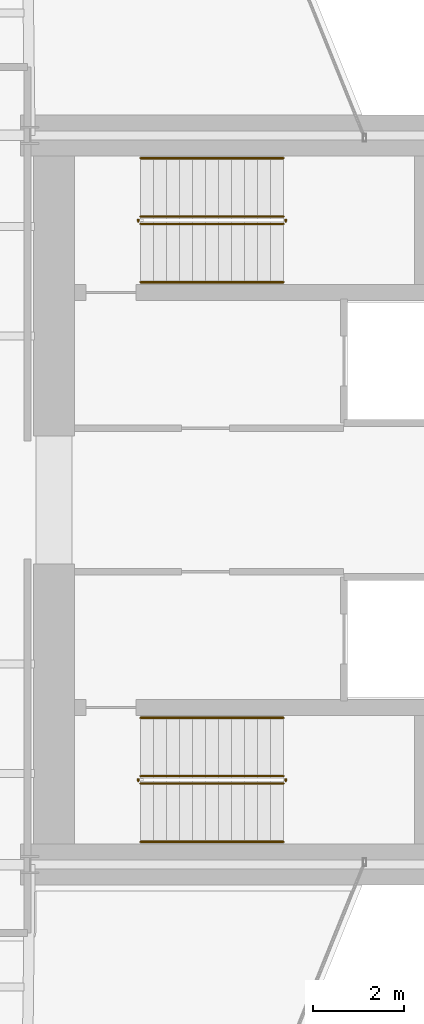
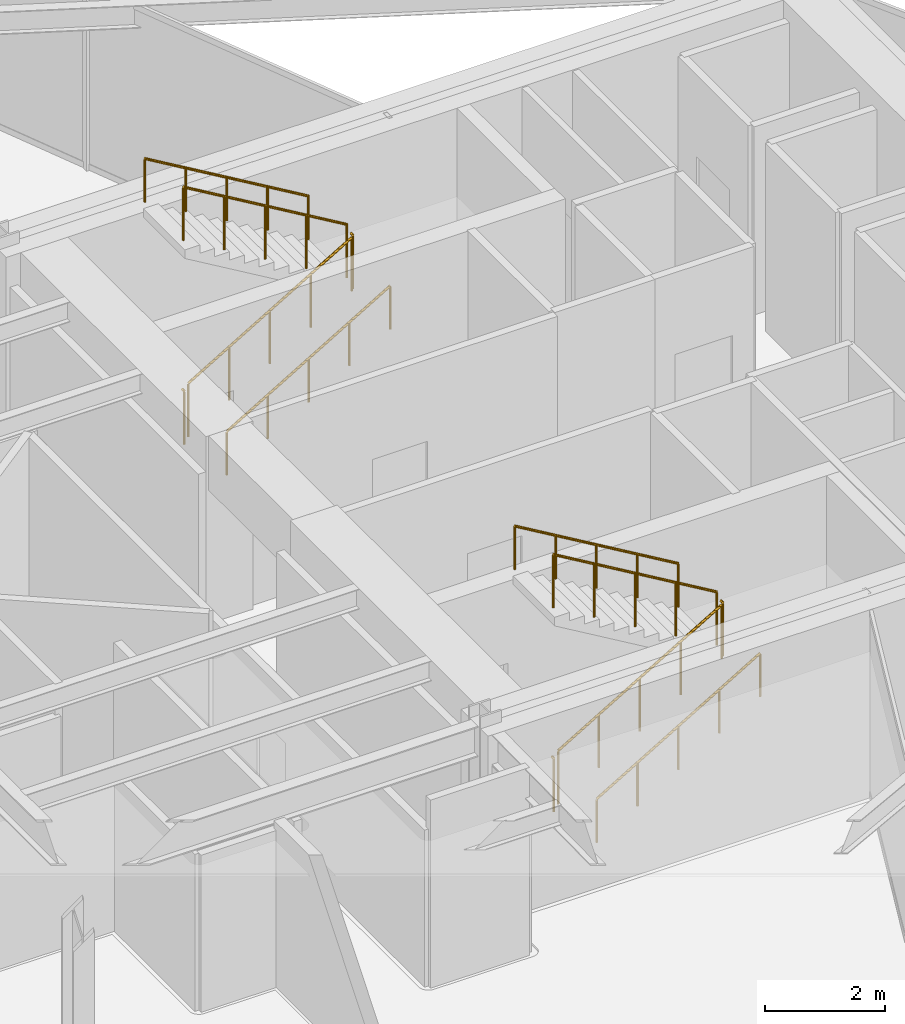
# One storey, part 31 of 31: 12 railings.
"""IFC4 building model written with IfcOpenShell, lengths in metres."""

from ifc_helpers import new_model, si_unit, direction, frame, origin, origin_2d, place, context, subcontext, project, spatial, circle, extrude, material, type_object, element, save


model = new_model("IFC4")

# Units and contexts
model_context = context("Model", 3, precision=1e-05, world=origin(), true_north=direction((0.0, 1.0)))
body_context = subcontext(model_context, "Body", "Model", "MODEL_VIEW")
ifc_project = project(units=[si_unit("LENGTHUNIT", "METRE"), si_unit("AREAUNIT", "SQUARE_METRE"), si_unit("VOLUMEUNIT", "CUBIC_METRE"), si_unit("PLANEANGLEUNIT", "RADIAN"), si_unit("MASSUNIT", "GRAM", prefix="KILO")], contexts=[model_context])

# Site, building, storey
site_placement = place(None, origin())
site = spatial("IfcSite", under=ifc_project, at=site_placement, CompositionType="ELEMENT")
building_placement = place(site_placement, origin())
building = spatial("IfcBuilding", under=site, at=building_placement, Name="Veymaron Broadcast Tower", CompositionType="ELEMENT")
storey_placement = place(building_placement, frame((0.0, 0.0, 70.199951171875)))
storey = spatial("IfcBuildingStorey", under=building, at=storey_placement, Name="L15", CompositionType="ELEMENT", Elevation=70.199951171875)

# Railings
ifc_material_1 = material(Name="Brushed stainless steel AISI 304", Category="steel")
railing_type_1 = type_object("IfcRailingType", Name="RAIL-STAIR-HR", PredefinedType="HANDRAIL", material=ifc_material_1)
railing_1_placement = place(storey_placement, frame((41.429931640625, 28.780029296875, 0.168701171875)))
element("IfcRailing", 1, at=railing_1_placement, inside=storey, type_object=railing_type_1, Name="L15 ST1 stair handrail 1", PredefinedType="HANDRAIL", context=body_context, shape_type="SweptSolid", body=[
    extrude(circle(Radius=0.02392578125, at=origin_2d()), frame((0.0, 0.0, 0.8759765625), z_axis=(0.860452582533, 0.0, 0.509530522356), x_axis=(0.0, 1.0, 0.0)), (0.0, 0.0, 1.0), 3.6435546875),
    extrude(circle(Radius=0.02099609375, at=origin_2d()), origin(), (0.0, 0.0, 1.0), 0.851806640625),
    extrude(circle(Radius=0.02099609375, at=origin_2d()), frame((0.78369140625, 0.0, 0.464111328125)), (0.0, 0.0, 1.0), 0.851806640625),
    extrude(circle(Radius=0.02099609375, at=origin_2d()), frame((1.5673828125, 0.0, 0.92822265625)), (0.0, 0.0, 1.0), 0.851806640625),
    extrude(circle(Radius=0.02099609375, at=origin_2d()), frame((2.351318359375, 0.0, 1.392333984375)), (0.0, 0.0, 1.0), 0.851806640625),
    extrude(circle(Radius=0.02099609375, at=origin_2d()), frame((3.135009765625, 0.0, 1.8564453125)), (0.0, 0.0, 1.0), 0.851806640625),
])
railing_2_placement = place(storey_placement, frame((44.56494140625, 31.5, 2.19384765625)))
element("IfcRailing", 2, at=railing_2_placement, inside=storey, type_object=railing_type_1, Name="L15 ST1 stair handrail 2", PredefinedType="HANDRAIL", context=body_context, shape_type="SweptSolid", body=[
    extrude(circle(Radius=0.02392578125, at=origin_2d()), frame((0.0, 0.0, 0.8759765625), z_axis=(-0.860481960309, 0.0, 0.509480908359), x_axis=(0.0, -1.0, 0.0)), (0.0, 0.0, 1.0), 3.643310546875),
    extrude(circle(Radius=0.02099609375, at=origin_2d()), origin(), (0.0, 0.0, 1.0), 0.851806640625),
    extrude(circle(Radius=0.02099609375, at=origin_2d()), frame((-0.78369140625, 0.0, 0.464111328125)), (0.0, 0.0, 1.0), 0.851806640625),
    extrude(circle(Radius=0.02099609375, at=origin_2d()), frame((-1.5673828125, 0.0, 0.92822265625)), (0.0, 0.0, 1.0), 0.851806640625),
    extrude(circle(Radius=0.02099609375, at=origin_2d()), frame((-2.351318359375, 0.0, 1.39208984375)), (0.0, 0.0, 1.0), 0.851806640625),
    extrude(circle(Radius=0.02099609375, at=origin_2d()), frame((-3.135009765625, 0.0, 1.856201171875)), (0.0, 0.0, 1.0), 0.851806640625),
])
railing_3_placement = place(storey_placement, frame((41.429931640625, 16.5, 0.168701171875)))
element("IfcRailing", 3, at=railing_3_placement, inside=storey, type_object=railing_type_1, Name="L15 ST2 stair handrail 1", PredefinedType="HANDRAIL", context=body_context, shape_type="SweptSolid", body=[
    extrude(circle(Radius=0.02392578125, at=origin_2d()), frame((0.0, 0.0, 0.8759765625), z_axis=(0.860452582533, 0.0, 0.509530522356), x_axis=(0.0, 1.0, 0.0)), (0.0, 0.0, 1.0), 3.6435546875),
    extrude(circle(Radius=0.02099609375, at=origin_2d()), origin(), (0.0, 0.0, 1.0), 0.851806640625),
    extrude(circle(Radius=0.02099609375, at=origin_2d()), frame((0.78369140625, 0.0, 0.464111328125)), (0.0, 0.0, 1.0), 0.851806640625),
    extrude(circle(Radius=0.02099609375, at=origin_2d()), frame((1.5673828125, 0.0, 0.92822265625)), (0.0, 0.0, 1.0), 0.851806640625),
    extrude(circle(Radius=0.02099609375, at=origin_2d()), frame((2.351318359375, 0.0, 1.392333984375)), (0.0, 0.0, 1.0), 0.851806640625),
    extrude(circle(Radius=0.02099609375, at=origin_2d()), frame((3.135009765625, 0.0, 1.8564453125)), (0.0, 0.0, 1.0), 0.851806640625),
])
railing_4_placement = place(storey_placement, frame((44.56494140625, 19.219970703125, 2.19384765625)))
element("IfcRailing", 4, at=railing_4_placement, inside=storey, type_object=railing_type_1, Name="L15 ST2 stair handrail 2", PredefinedType="HANDRAIL", context=body_context, shape_type="SweptSolid", body=[
    extrude(circle(Radius=0.02392578125, at=origin_2d()), frame((0.0, 0.0, 0.8759765625), z_axis=(-0.860481960309, 0.0, 0.509480908359), x_axis=(0.0, -1.0, 0.0)), (0.0, 0.0, 1.0), 3.643310546875),
    extrude(circle(Radius=0.02099609375, at=origin_2d()), origin(), (0.0, 0.0, 1.0), 0.851806640625),
    extrude(circle(Radius=0.02099609375, at=origin_2d()), frame((-0.78369140625, 0.0, 0.464111328125)), (0.0, 0.0, 1.0), 0.851806640625),
    extrude(circle(Radius=0.02099609375, at=origin_2d()), frame((-1.5673828125, 0.0, 0.92822265625)), (0.0, 0.0, 1.0), 0.851806640625),
    extrude(circle(Radius=0.02099609375, at=origin_2d()), frame((-2.351318359375, 0.0, 1.39208984375)), (0.0, 0.0, 1.0), 0.851806640625),
    extrude(circle(Radius=0.02099609375, at=origin_2d()), frame((-3.135009765625, 0.0, 1.856201171875)), (0.0, 0.0, 1.0), 0.851806640625),
])
ifc_material_2 = material(Name="Painted galvanized steel balustrade", Category="steel")
railing_type_2 = type_object("IfcRailingType", Name="RAIL-WELL-GRD", PredefinedType="GUARDRAIL", material=ifc_material_2)
railing_5_placement = place(storey_placement, frame((41.429931640625, 30.06005859375, 0.168701171875)))
element("IfcRailing", 5, at=railing_5_placement, inside=storey, type_object=railing_type_2, Name="L15 ST1 stair guard 1", PredefinedType="GUARDRAIL", context=body_context, shape_type="SweptSolid", body=[
    extrude(circle(Radius=0.02392578125, at=origin_2d()), frame((0.0, 0.0, 1.076171875), z_axis=(0.860452582533, 0.0, 0.509530522356), x_axis=(0.0, 1.0, 0.0)), (0.0, 0.0, 1.0), 3.6435546875),
    extrude(circle(Radius=0.02099609375, at=origin_2d()), origin(), (0.0, 0.0, 1.0), 1.052001953125),
    extrude(circle(Radius=0.02099609375, at=origin_2d()), frame((0.78369140625, 0.0, 0.464111328125)), (0.0, 0.0, 1.0), 1.052001953125),
    extrude(circle(Radius=0.02099609375, at=origin_2d()), frame((1.5673828125, 0.0, 0.92822265625)), (0.0, 0.0, 1.0), 1.052001953125),
    extrude(circle(Radius=0.02099609375, at=origin_2d()), frame((2.351318359375, 0.0, 1.392333984375)), (0.0, 0.0, 1.0), 1.052001953125),
    extrude(circle(Radius=0.02099609375, at=origin_2d()), frame((3.135009765625, 0.0, 1.8564453125)), (0.0, 0.0, 1.0), 1.052001953125),
])
railing_6_placement = place(storey_placement, frame((44.614990234375, 30.110107421875, 2.025146484375)))
element("IfcRailing", 6, at=railing_6_placement, inside=storey, type_object=railing_type_2, Name="L15 ST1 stair guard 2", PredefinedType="GUARDRAIL", context=body_context, shape_type="SweptSolid", body=[
    extrude(circle(Radius=0.02392578125, at=origin_2d()), frame((0.0, 0.0, 1.076171875), z_axis=(0.0, 1.0, 0.0), x_axis=(-1.0, 0.0, 0.0)), (0.0, 0.0, 1.0), 0.059814453125),
    extrude(circle(Radius=0.02099609375, at=origin_2d()), origin(), (0.0, 0.0, 1.0), 1.052001953125),
])
railing_7_placement = place(storey_placement, frame((44.56494140625, 30.219970703125, 2.19384765625)))
element("IfcRailing", 7, at=railing_7_placement, inside=storey, type_object=railing_type_2, Name="L15 ST1 stair guard 3", PredefinedType="GUARDRAIL", context=body_context, shape_type="SweptSolid", body=[
    extrude(circle(Radius=0.02392578125, at=origin_2d()), frame((0.0, 0.0, 1.076171875), z_axis=(-0.860481960309, 0.0, 0.509480908359), x_axis=(0.0, -1.0, 0.0)), (0.0, 0.0, 1.0), 3.643310546875),
    extrude(circle(Radius=0.02099609375, at=origin_2d()), origin(), (0.0, 0.0, 1.0), 1.052001953125),
    extrude(circle(Radius=0.02099609375, at=origin_2d()), frame((-0.78369140625, 0.0, 0.464111328125)), (0.0, 0.0, 1.0), 1.052001953125),
    extrude(circle(Radius=0.02099609375, at=origin_2d()), frame((-1.5673828125, 0.0, 0.92822265625)), (0.0, 0.0, 1.0), 1.052001953125),
    extrude(circle(Radius=0.02099609375, at=origin_2d()), frame((-2.351318359375, 0.0, 1.39208984375)), (0.0, 0.0, 1.0), 1.052001953125),
    extrude(circle(Radius=0.02099609375, at=origin_2d()), frame((-3.135009765625, 0.0, 1.856201171875)), (0.0, 0.0, 1.0), 1.052001953125),
])
railing_8_placement = place(storey_placement, frame((41.3798828125, 30.110107421875, 0.0)))
element("IfcRailing", 8, at=railing_8_placement, inside=storey, type_object=railing_type_2, Name="L15 ST1 stair guard 4", PredefinedType="GUARDRAIL", context=body_context, shape_type="SweptSolid", body=[
    extrude(circle(Radius=0.02392578125, at=origin_2d()), frame((0.0, 0.0, 1.076171875), z_axis=(0.0, 1.0, 0.0), x_axis=(-1.0, 0.0, 0.0)), (0.0, 0.0, 1.0), 0.059814453125),
    extrude(circle(Radius=0.02099609375, at=origin_2d()), origin(), (0.0, 0.0, 1.0), 1.052001953125),
])
railing_9_placement = place(storey_placement, frame((41.429931640625, 17.780029296875, 0.168701171875)))
element("IfcRailing", 9, at=railing_9_placement, inside=storey, type_object=railing_type_2, Name="L15 ST2 stair guard 1", PredefinedType="GUARDRAIL", context=body_context, shape_type="SweptSolid", body=[
    extrude(circle(Radius=0.02392578125, at=origin_2d()), frame((0.0, 0.0, 1.076171875), z_axis=(0.860452582533, 0.0, 0.509530522356), x_axis=(0.0, 1.0, 0.0)), (0.0, 0.0, 1.0), 3.6435546875),
    extrude(circle(Radius=0.02099609375, at=origin_2d()), origin(), (0.0, 0.0, 1.0), 1.052001953125),
    extrude(circle(Radius=0.02099609375, at=origin_2d()), frame((0.78369140625, 0.0, 0.464111328125)), (0.0, 0.0, 1.0), 1.052001953125),
    extrude(circle(Radius=0.02099609375, at=origin_2d()), frame((1.5673828125, 0.0, 0.92822265625)), (0.0, 0.0, 1.0), 1.052001953125),
    extrude(circle(Radius=0.02099609375, at=origin_2d()), frame((2.351318359375, 0.0, 1.392333984375)), (0.0, 0.0, 1.0), 1.052001953125),
    extrude(circle(Radius=0.02099609375, at=origin_2d()), frame((3.135009765625, 0.0, 1.8564453125)), (0.0, 0.0, 1.0), 1.052001953125),
])
railing_10_placement = place(storey_placement, frame((44.614990234375, 17.830078125, 2.025146484375)))
element("IfcRailing", 10, at=railing_10_placement, inside=storey, type_object=railing_type_2, Name="L15 ST2 stair guard 2", PredefinedType="GUARDRAIL", context=body_context, shape_type="SweptSolid", body=[
    extrude(circle(Radius=0.02392578125, at=origin_2d()), frame((0.0, 0.0, 1.076171875), z_axis=(0.0, 1.0, 0.0), x_axis=(-1.0, 0.0, 0.0)), (0.0, 0.0, 1.0), 0.059814453125),
    extrude(circle(Radius=0.02099609375, at=origin_2d()), origin(), (0.0, 0.0, 1.0), 1.052001953125),
])
railing_11_placement = place(storey_placement, frame((44.56494140625, 17.93994140625, 2.19384765625)))
element("IfcRailing", 11, at=railing_11_placement, inside=storey, type_object=railing_type_2, Name="L15 ST2 stair guard 3", PredefinedType="GUARDRAIL", context=body_context, shape_type="SweptSolid", body=[
    extrude(circle(Radius=0.02392578125, at=origin_2d()), frame((0.0, 0.0, 1.076171875), z_axis=(-0.860481960309, 0.0, 0.509480908359), x_axis=(0.0, -1.0, 0.0)), (0.0, 0.0, 1.0), 3.643310546875),
    extrude(circle(Radius=0.02099609375, at=origin_2d()), origin(), (0.0, 0.0, 1.0), 1.052001953125),
    extrude(circle(Radius=0.02099609375, at=origin_2d()), frame((-0.78369140625, 0.0, 0.464111328125)), (0.0, 0.0, 1.0), 1.052001953125),
    extrude(circle(Radius=0.02099609375, at=origin_2d()), frame((-1.5673828125, 0.0, 0.92822265625)), (0.0, 0.0, 1.0), 1.052001953125),
    extrude(circle(Radius=0.02099609375, at=origin_2d()), frame((-2.351318359375, 0.0, 1.39208984375)), (0.0, 0.0, 1.0), 1.052001953125),
    extrude(circle(Radius=0.02099609375, at=origin_2d()), frame((-3.135009765625, 0.0, 1.856201171875)), (0.0, 0.0, 1.0), 1.052001953125),
])
railing_12_placement = place(storey_placement, frame((41.3798828125, 17.830078125, 0.0)))
element("IfcRailing", 12, at=railing_12_placement, inside=storey, type_object=railing_type_2, Name="L15 ST2 stair guard 4", PredefinedType="GUARDRAIL", context=body_context, shape_type="SweptSolid", body=[
    extrude(circle(Radius=0.02392578125, at=origin_2d()), frame((0.0, 0.0, 1.076171875), z_axis=(0.0, 1.0, 0.0), x_axis=(-1.0, 0.0, 0.0)), (0.0, 0.0, 1.0), 0.059814453125),
    extrude(circle(Radius=0.02099609375, at=origin_2d()), origin(), (0.0, 0.0, 1.0), 1.052001953125),
])

save(model, "model.ifc")
